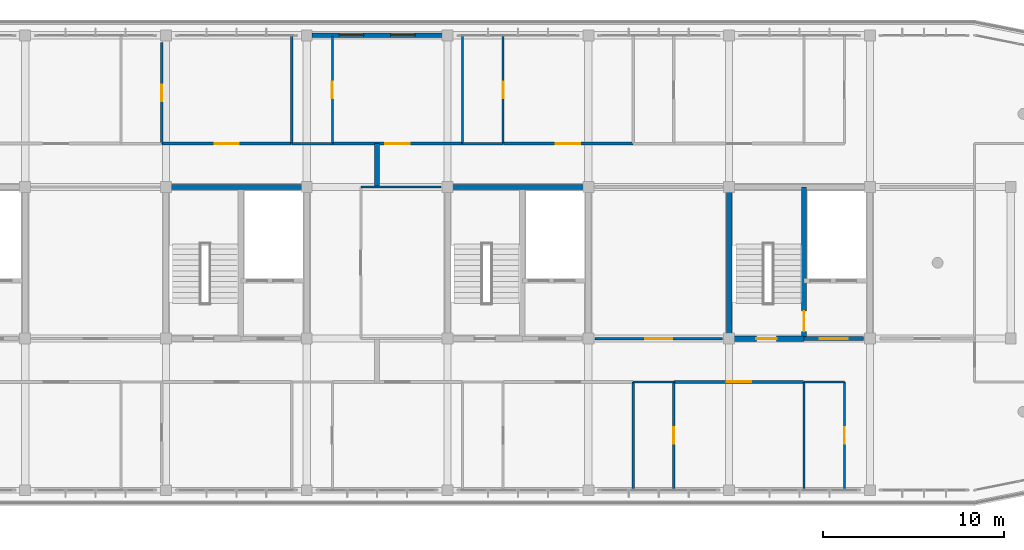
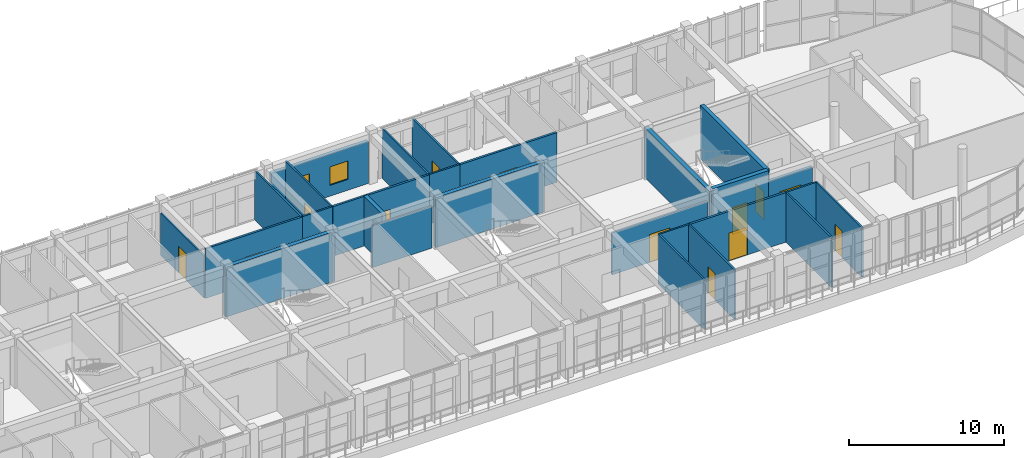
# One storey, part 44 of 50: 27 walls, 13 doors, 2 windows, 15 openings.
"""IFC4 building model written with IfcOpenShell, lengths in metres."""

from ifc_helpers import new_model, si_unit, direction, frame, frame_2d, origin, place, context, subcontext, project, spatial, rectangle, extrude, material, layer, layer_set, type_object, element, fill, save


model = new_model("IFC4")

# Units and contexts
model_context = context("Model", 3, precision=1e-05, world=origin(), true_north=direction((0.0, 1.0)))
body_context = subcontext(model_context, "Body", "Model", "MODEL_VIEW")
ifc_project = project(units=[si_unit("LENGTHUNIT", "METRE"), si_unit("AREAUNIT", "SQUARE_METRE"), si_unit("VOLUMEUNIT", "CUBIC_METRE"), si_unit("PLANEANGLEUNIT", "RADIAN"), si_unit("MASSUNIT", "GRAM", prefix="KILO")], contexts=[model_context])

# Site, building, storey
site_placement = place(None, origin())
site = spatial("IfcSite", under=ifc_project, at=site_placement, CompositionType="ELEMENT")
building_placement = place(site_placement, origin())
building = spatial("IfcBuilding", under=site, at=building_placement, Name="Zizhar Promenade General Hospital", CompositionType="ELEMENT")
storey_placement = place(building_placement, frame((0.0, 0.0, 30.60009765625)))
storey = spatial("IfcBuildingStorey", under=building, at=storey_placement, Name="L07", CompositionType="ELEMENT", Elevation=30.60009765625)

# Wall, openings, windows
ifc_material_1 = material(Name="Precast concrete C40/50", Category="concrete")
ifc_layer_1 = layer(ifc_material_1, 0.260009765625)
ifc_layer_set_1 = layer_set([ifc_layer_1], Name="Precast concrete C40/50")
wall_type_1 = type_object("IfcWallType", Name="EW-PC-260", PredefinedType="STANDARD", material=ifc_layer_set_1)
wall_1_placement = place(storey_placement, frame((70.489990234375, 25.199951171875, 0.0), z_axis=(0.0, 0.0, 1.0), x_axis=(1.0, 0.0, 0.0)))
wall_1 = element("IfcWall", 1, at=wall_1_placement, inside=storey, type_object=wall_type_1, Name="Ward Precast Ribbon Pier L07-8-4", PredefinedType="STANDARD", context=body_context, shape_type="SweptSolid", body=[
    extrude(rectangle(XDim=7.219970703125, YDim=0.260009765625, at=frame_2d((3.60986328125, 0.0))), origin(), (0.0, 0.0, 1.0), 3.304931640625),
])
opening_1_placement = place(wall_1_placement, frame((1.506591796875, 0.0, 0.85009765625)))
opening_1 = element("IfcOpeningElement", 2, at=opening_1_placement, cuts=wall_1, Name="Opening W-31", PredefinedType="OPENING", context=body_context, shape_type="SweptSolid", body=[
    extrude(rectangle(XDim=1.35009765625, YDim=1.449951171875, at=frame_2d((0.675048828125, 0.72509765625))), frame((0.0, 0.14013671875, 0.0), z_axis=(0.0, -1.0, 0.0), x_axis=(1.0, 0.0, 0.0)), (0.0, 0.0, 1.0), 0.280029296875),
])
opening_2_placement = place(wall_1_placement, frame((4.36328125, 0.0, 0.85009765625)))
opening_2 = element("IfcOpeningElement", 3, at=opening_2_placement, cuts=wall_1, Name="Opening W-31", PredefinedType="OPENING", context=body_context, shape_type="SweptSolid", body=[
    extrude(rectangle(XDim=1.35009765625, YDim=1.449951171875, at=frame_2d((0.675048828125, 0.72509765625))), frame((0.0, 0.14013671875, 0.0), z_axis=(0.0, -1.0, 0.0), x_axis=(1.0, 0.0, 0.0)), (0.0, 0.0, 1.0), 0.280029296875),
])
ifc_material_2 = material(Name="Anodised aluminium 6063-T6 and low-E glass", Category="aluminium")
window_type = type_object("IfcWindowType", Name="WIN-WARD-135x145", PartitioningType="SINGLE_PANEL", PredefinedType="WINDOW", material=ifc_material_2)
window_1_placement = place(opening_1_placement, origin())
window_1 = element("IfcWindow", 4, at=window_1_placement, inside=storey, type_object=window_type, Name="Ward Precast Ribbon Pier L07-8-4 Window 1", OverallHeight=1.449951171875, OverallWidth=1.35009765625, PartitioningType="SINGLE_PANEL", PredefinedType="WINDOW", context=body_context, shape_type="SweptSolid", body=[
    extrude(rectangle(XDim=1.35009765625, YDim=1.449951171875, at=frame_2d((0.675048828125, 0.72509765625))), frame((0.0, 0.030029296875, 0.0), z_axis=(0.0, -1.0, 0.0), x_axis=(1.0, 0.0, 0.0)), (0.0, 0.0, 1.0), 0.06005859375),
])
fill(opening_1, window_1)
window_2_placement = place(opening_2_placement, origin())
window_2 = element("IfcWindow", 5, at=window_2_placement, inside=storey, type_object=window_type, Name="Ward Precast Ribbon Pier L07-8-4 Window 2", OverallHeight=1.449951171875, OverallWidth=1.35009765625, PartitioningType="SINGLE_PANEL", PredefinedType="WINDOW", context=body_context, shape_type="SweptSolid", body=[
    extrude(rectangle(XDim=1.35009765625, YDim=1.449951171875, at=frame_2d((0.675048828125, 0.72509765625))), frame((0.0, 0.030029296875, 0.0), z_axis=(0.0, -1.0, 0.0), x_axis=(1.0, 0.0, 0.0)), (0.0, 0.0, 1.0), 0.06005859375),
])
fill(opening_2, window_2)

# Wall, opening, door
ifc_material_3 = material(Name="Clinical consultation partition")
ifc_layer_2 = layer(ifc_material_3, 0.14501953125)
ifc_layer_set_2 = layer_set([ifc_layer_2], Name="Clinical consultation partition")
wall_type_2 = type_object("IfcWallType", Name="IW-CLN-145", PredefinedType="PARTITIONING", material=ifc_layer_set_2)
wall_2_placement = place(storey_placement, frame((86.159912109375, 8.39990234375, 0.0), z_axis=(0.0, 0.0, 1.0), x_axis=(1.0, 0.0, 0.0)))
wall_2 = element("IfcWall", 6, at=wall_2_placement, inside=storey, type_object=wall_type_2, Name="Accessible Visitor Lounge and Clean Utility L07 S Partition", PredefinedType="PARTITIONING", context=body_context, shape_type="SweptSolid", body=[
    extrude(rectangle(XDim=7.080078125, YDim=0.14501953125, at=frame_2d((3.5400390625, 0.0))), origin(), (0.0, 0.0, 1.0), 3.304931640625),
])
opening_3_placement = place(wall_2_placement, frame((2.780029296875, 0.0, 0.0)))
opening_3 = element("IfcOpeningElement", 7, at=opening_3_placement, cuts=wall_2, Name="Opening D-28", PredefinedType="OPENING", context=body_context, shape_type="SweptSolid", body=[
    extrude(rectangle(XDim=1.52001953125, YDim=2.199951171875, at=frame_2d((0.760009765625, 1.10009765625))), frame((0.0, 0.08251953125, 0.0), z_axis=(0.0, -1.0, 0.0), x_axis=(1.0, 0.0, 0.0)), (0.0, 0.0, 1.0), 0.1650390625),
])
ifc_material_4 = material(Name="Fire-rated timber glazed lounge pair", Category="wood")
door_type_1 = type_object("IfcDoorType", Name="DR-LOUNGE-152x220", OperationType="DOUBLE_DOOR_SINGLE_SWING", PredefinedType="DOOR", material=ifc_material_4)
door_1_placement = place(opening_3_placement, origin())
door_1 = element("IfcDoor", 8, at=door_1_placement, inside=storey, type_object=door_type_1, Name="Accessible Visitor Lounge and Clean Utility L07 Door", OperationType="DOUBLE_DOOR_SINGLE_SWING", OverallHeight=2.199951171875, OverallWidth=1.52001953125, PredefinedType="DOOR", context=body_context, shape_type="SweptSolid", body=[
    extrude(rectangle(XDim=1.52001953125, YDim=2.199951171875, at=frame_2d((0.760009765625, 1.10009765625))), frame((0.0, 0.02490234375, 0.0), z_axis=(0.0, -1.0, 0.0), x_axis=(1.0, 0.0, 0.0)), (0.0, 0.0, 1.0), 0.050048828125),
])
fill(opening_3, door_1)

# Wall
ifc_material_5 = material(Name="Concrete C35/45", Category="concrete")
ifc_layer_3 = layer(ifc_material_5, 0.284912109375)
ifc_layer_set_3 = layer_set([ifc_layer_3], Name="Concrete C35/45")
wall_type_3 = type_object("IfcWallType", Name="IW-COMP-285", PredefinedType="STANDARD", material=ifc_layer_set_3)
wall_3_placement = place(storey_placement, frame((74.10009765625, 16.800048828125, 0.0), z_axis=(0.0, 0.0, 1.0), x_axis=(0.0, 1.0, 0.0)))
element("IfcWall", 9, at=wall_3_placement, inside=storey, type_object=wall_type_3, Name="Horizontal Fire Compartment Wall North (L07)", PredefinedType="STANDARD", context=body_context, shape_type="SweptSolid", body=[
    extrude(rectangle(XDim=2.39990234375, YDim=0.284912109375, at=frame_2d((1.199951171875, 0.0))), origin(), (0.0, 0.0, 1.0), 3.89990234375),
])

# Wall, opening, door
ifc_material_6 = material(Name="Concrete C35/45", Category="concrete")
ifc_layer_4 = layer(ifc_material_6, 0.215087890625)
ifc_layer_set_4 = layer_set([ifc_layer_4], Name="Concrete C35/45")
wall_type_4 = type_object("IfcWallType", Name="IW-LOBBY-215", PredefinedType="STANDARD", material=ifc_layer_set_4)
wall_4_placement = place(storey_placement, frame((97.75, 8.39990234375, 0.0), z_axis=(0.0, 0.0, 1.0), x_axis=(1.0, 0.0, 0.0)))
wall_4 = element("IfcWall", 10, at=wall_4_placement, inside=storey, type_object=wall_type_4, Name="Core C5 Lift Lobby South Fire Wall (L07)", PredefinedType="STANDARD", context=body_context, shape_type="SweptSolid", body=[
    extrude(rectangle(XDim=3.2900390625, YDim=0.215087890625, at=frame_2d((1.64501953125, 0.0))), origin(), (0.0, 0.0, 1.0), 3.304931640625),
])
opening_4_placement = place(wall_4_placement, frame((0.864990234375, 0.0, 0.0)))
opening_4 = element("IfcOpeningElement", 11, at=opening_4_placement, cuts=wall_4, Name="Opening D-22", PredefinedType="OPENING", context=body_context, shape_type="SweptSolid", body=[
    extrude(rectangle(XDim=1.56005859375, YDim=2.199951171875, at=frame_2d((0.780029296875, 1.10009765625))), frame((0.0, 0.11767578125, 0.0), z_axis=(0.0, -1.0, 0.0), x_axis=(1.0, 0.0, 0.0)), (0.0, 0.0, 1.0), 0.235107421875),
])
ifc_material_7 = material(Name="Steel S355 firefighting lobby pair", Category="steel")
door_type_2 = type_object("IfcDoorType", Name="DR-LOBBY-FF-156x220", OperationType="DOUBLE_DOOR_SINGLE_SWING", PredefinedType="DOOR", material=ifc_material_7)
door_2_placement = place(opening_4_placement, origin())
door_2 = element("IfcDoor", 12, at=door_2_placement, inside=storey, type_object=door_type_2, Name="Core C5 Firefighting Lift Lobby Door (L07)", OperationType="DOUBLE_DOOR_SINGLE_SWING", OverallHeight=2.199951171875, OverallWidth=1.56005859375, PredefinedType="DOOR", context=body_context, shape_type="SweptSolid", body=[
    extrude(rectangle(XDim=1.56005859375, YDim=2.199951171875, at=frame_2d((0.780029296875, 1.10009765625))), frame((0.0, 0.02490234375, 0.0), z_axis=(0.0, -1.0, 0.0), x_axis=(1.0, 0.0, 0.0)), (0.0, 0.0, 1.0), 0.050048828125),
])
fill(opening_4, door_2)

# Wall
ifc_material_8 = material(Name="Clean utility gypsum partition")
ifc_layer_5 = layer(ifc_material_8, 0.114990234375)
ifc_layer_set_5 = layer_set([ifc_layer_5], Name="Clean utility gypsum partition")
wall_type_5 = type_object("IfcWallType", Name="IW-STR-115", PredefinedType="PARTITIONING", material=ifc_layer_set_5)
wall_5_placement = place(storey_placement, frame((73.199951171875, 16.800048828125, 0.0), z_axis=(0.0, 0.0, 1.0), x_axis=(1.0, 0.0, 0.0)))
element("IfcWall", 13, at=wall_5_placement, inside=storey, type_object=wall_type_5, Name="Obstetric Assessment Room N Partition", PredefinedType="PARTITIONING", context=body_context, shape_type="SweptSolid", body=[
    extrude(rectangle(XDim=4.43994140625, YDim=0.114990234375, at=frame_2d((2.219970703125, 0.0))), origin(), (0.0, 0.0, 1.0), 3.304931640625),
])

# Wall, opening, door
ifc_material_9 = material(Name="Acoustic patient bedroom partition")
ifc_layer_6 = layer(ifc_material_9, 0.155029296875)
ifc_layer_set_6 = layer_set([ifc_layer_6], Name="Acoustic patient bedroom partition")
wall_type_6 = type_object("IfcWallType", Name="IW-WARD-155", PredefinedType="PARTITIONING", material=ifc_layer_set_6)
wall_6_placement = place(storey_placement, frame((62.174072265625, 19.199951171875, 0.0), z_axis=(0.0, 0.0, 1.0), x_axis=(1.0, 0.0, 0.0)))
wall_6 = element("IfcWall", 14, at=wall_6_placement, inside=storey, type_object=wall_type_6, Name="Maternity Inpatient Ward L07-N03 S Partition", PredefinedType="PARTITIONING", context=body_context, shape_type="SweptSolid", body=[
    extrude(rectangle(XDim=7.18701171875, YDim=0.155029296875, at=frame_2d((3.593505859375, 0.0))), origin(), (0.0, 0.0, 1.0), 3.89990234375),
])
opening_5_placement = place(wall_6_placement, frame((2.91845703125, 0.0, 0.0)))
opening_5 = element("IfcOpeningElement", 15, at=opening_5_placement, cuts=wall_6, Name="Opening D-08", PredefinedType="OPENING", context=body_context, shape_type="SweptSolid", body=[
    extrude(rectangle(XDim=1.35009765625, YDim=2.199951171875, at=frame_2d((0.675048828125, 1.10009765625))), frame((0.0, 0.08740234375, 0.0), z_axis=(0.0, -1.0, 0.0), x_axis=(1.0, 0.0, 0.0)), (0.0, 0.0, 1.0), 0.175048828125),
])
ifc_material_10 = material(Name="Fire-rated timber maternity bed leaf", Category="wood")
door_type_3 = type_object("IfcDoorType", Name="DR-BED-MAT-135x220", OperationType="NOTDEFINED", PredefinedType="DOOR", material=ifc_material_10)
door_3_placement = place(opening_5_placement, origin())
door_3 = element("IfcDoor", 16, at=door_3_placement, inside=storey, type_object=door_type_3, Name="Maternity Inpatient Ward L07-N03 Door", OperationType="SINGLE_SWING_LEFT", OverallHeight=2.199951171875, OverallWidth=1.35009765625, PredefinedType="DOOR", context=body_context, shape_type="SweptSolid", body=[
    extrude(rectangle(XDim=1.35009765625, YDim=2.199951171875, at=frame_2d((0.675048828125, 1.10009765625))), frame((0.0, 0.02490234375, 0.0), z_axis=(0.0, -1.0, 0.0), x_axis=(1.0, 0.0, 0.0)), (0.0, 0.0, 1.0), 0.050048828125),
])
fill(opening_5, door_3)

wall_7_placement = place(storey_placement, frame((71.631103515625, 19.199951171875, 0.0), z_axis=(0.0, 0.0, 1.0), x_axis=(1.0, 0.0, 0.0)))
wall_7 = element("IfcWall", 17, at=wall_7_placement, inside=storey, type_object=wall_type_6, Name="Neonatal Care Nursery Suite L07-N04 S Partition", PredefinedType="PARTITIONING", context=body_context, shape_type="SweptSolid", body=[
    extrude(rectangle(XDim=7.18798828125, YDim=0.155029296875, at=frame_2d((3.593994140625, 0.0))), origin(), (0.0, 0.0, 1.0), 3.89990234375),
])
opening_6_placement = place(wall_7_placement, frame((2.9189453125, 0.0, 0.0)))
opening_6 = element("IfcOpeningElement", 18, at=opening_6_placement, cuts=wall_7, Name="Opening D-08", PredefinedType="OPENING", context=body_context, shape_type="SweptSolid", body=[
    extrude(rectangle(XDim=1.35009765625, YDim=2.199951171875, at=frame_2d((0.675048828125, 1.10009765625))), frame((0.0, 0.08740234375, 0.0), z_axis=(0.0, -1.0, 0.0), x_axis=(1.0, 0.0, 0.0)), (0.0, 0.0, 1.0), 0.175048828125),
])
door_4_placement = place(opening_6_placement, origin())
door_4 = element("IfcDoor", 19, at=door_4_placement, inside=storey, type_object=door_type_3, Name="Neonatal Care Nursery Suite L07-N04 Door", OperationType="SINGLE_SWING_LEFT", OverallHeight=2.199951171875, OverallWidth=1.35009765625, PredefinedType="DOOR", context=body_context, shape_type="SweptSolid", body=[
    extrude(rectangle(XDim=1.35009765625, YDim=2.199951171875, at=frame_2d((0.675048828125, 1.10009765625))), frame((0.0, 0.02490234375, 0.0), z_axis=(0.0, -1.0, 0.0), x_axis=(1.0, 0.0, 0.0)), (0.0, 0.0, 1.0), 0.050048828125),
])
fill(opening_6, door_4)

wall_8_placement = place(storey_placement, frame((81.089111328125, 19.199951171875, 0.0), z_axis=(0.0, 0.0, 1.0), x_axis=(1.0, 0.0, 0.0)))
wall_8 = element("IfcWall", 20, at=wall_8_placement, inside=storey, type_object=wall_type_6, Name="Maternity Inpatient Ward L07-N05 S Partition", PredefinedType="PARTITIONING", context=body_context, shape_type="SweptSolid", body=[
    extrude(rectangle(XDim=7.186767578125, YDim=0.155029296875, at=frame_2d((3.59326171875, 0.0))), origin(), (0.0, 0.0, 1.0), 3.89990234375),
])
opening_7_placement = place(wall_8_placement, frame((2.91845703125, 0.0, 0.0)))
opening_7 = element("IfcOpeningElement", 21, at=opening_7_placement, cuts=wall_8, Name="Opening D-08", PredefinedType="OPENING", context=body_context, shape_type="SweptSolid", body=[
    extrude(rectangle(XDim=1.35009765625, YDim=2.199951171875, at=frame_2d((0.675048828125, 1.10009765625))), frame((0.0, 0.08740234375, 0.0), z_axis=(0.0, -1.0, 0.0), x_axis=(1.0, 0.0, 0.0)), (0.0, 0.0, 1.0), 0.175048828125),
])
door_5_placement = place(opening_7_placement, origin())
door_5 = element("IfcDoor", 22, at=door_5_placement, inside=storey, type_object=door_type_3, Name="Maternity Inpatient Ward L07-N05 Door", OperationType="SINGLE_SWING_LEFT", OverallHeight=2.199951171875, OverallWidth=1.35009765625, PredefinedType="DOOR", context=body_context, shape_type="SweptSolid", body=[
    extrude(rectangle(XDim=1.35009765625, YDim=2.199951171875, at=frame_2d((0.675048828125, 1.10009765625))), frame((0.0, 0.02490234375, 0.0), z_axis=(0.0, -1.0, 0.0), x_axis=(1.0, 0.0, 0.0)), (0.0, 0.0, 1.0), 0.050048828125),
])
fill(opening_7, door_5)

wall_9_placement = place(storey_placement, frame((90.5458984375, 6.0, 0.0), z_axis=(0.0, 0.0, 1.0), x_axis=(1.0, 0.0, 0.0)))
wall_9 = element("IfcWall", 23, at=wall_9_placement, inside=storey, type_object=wall_type_6, Name="Neonatal Care Nursery Suite L07-S06 N Partition", PredefinedType="PARTITIONING", context=body_context, shape_type="SweptSolid", body=[
    extrude(rectangle(XDim=7.18701171875, YDim=0.155029296875, at=frame_2d((3.593505859375, 0.0))), origin(), (0.0, 0.0, 1.0), 3.89990234375),
])
opening_8_placement = place(wall_9_placement, frame((2.91845703125, 0.0, 0.0)))
opening_8 = element("IfcOpeningElement", 24, at=opening_8_placement, cuts=wall_9, Name="Opening D-08", PredefinedType="OPENING", context=body_context, shape_type="SweptSolid", body=[
    extrude(rectangle(XDim=1.35009765625, YDim=2.199951171875, at=frame_2d((0.675048828125, 1.10009765625))), frame((0.0, 0.08740234375, 0.0), z_axis=(0.0, -1.0, 0.0), x_axis=(1.0, 0.0, 0.0)), (0.0, 0.0, 1.0), 0.175048828125),
])
door_6_placement = place(opening_8_placement, origin())
door_6 = element("IfcDoor", 25, at=door_6_placement, inside=storey, type_object=door_type_3, Name="Neonatal Care Nursery Suite L07-S06 Door", OperationType="SINGLE_SWING_RIGHT", OverallHeight=2.199951171875, OverallWidth=1.35009765625, PredefinedType="DOOR", context=body_context, shape_type="SweptSolid", body=[
    extrude(rectangle(XDim=1.35009765625, YDim=2.199951171875, at=frame_2d((0.675048828125, 1.10009765625))), frame((0.0, 0.02490234375, 0.0), z_axis=(0.0, -1.0, 0.0), x_axis=(1.0, 0.0, 0.0)), (0.0, 0.0, 1.0), 0.050048828125),
])
fill(opening_8, door_6)

ifc_material_11 = material(Name="Moisture-resistant en-suite wet partition")
ifc_layer_7 = layer(ifc_material_11, 0.125)
ifc_layer_set_7 = layer_set([ifc_layer_7], Name="Moisture-resistant en-suite wet partition")
wall_type_7 = type_object("IfcWallType", Name="IW-WET-125", PredefinedType="PARTITIONING", material=ifc_layer_set_7)
wall_10_placement = place(storey_placement, frame((62.164306640625, 19.199951171875, 0.0), z_axis=(0.0, 0.0, 1.0), x_axis=(0.0, 1.0, 0.0)))
wall_10 = element("IfcWall", 26, at=wall_10_placement, inside=storey, type_object=wall_type_7, Name="En-Suite Patient Bathroom L07-N03 E Partition", PredefinedType="PARTITIONING", context=body_context, shape_type="SweptSolid", body=[
    extrude(rectangle(XDim=5.594970703125, YDim=0.125, at=frame_2d((2.79736328125, 0.0))), origin(), (0.0, 0.0, 1.0), 3.304931640625),
])
opening_9_placement = place(wall_10_placement, frame((2.33740234375, 0.0, 0.0)))
opening_9 = element("IfcOpeningElement", 27, at=opening_9_placement, cuts=wall_10, Name="Opening D-18", PredefinedType="OPENING", context=body_context, shape_type="SweptSolid", body=[
    extrude(rectangle(XDim=0.919921875, YDim=2.10009765625, at=frame_2d((0.4599609375, 1.050048828125))), frame((0.0, 0.072509765625, 0.0), z_axis=(0.0, -1.0, 0.0), x_axis=(1.0, 0.0, 0.0)), (0.0, 0.0, 1.0), 0.14501953125),
])
ifc_material_12 = material(Name="Moisture-resistant timber en-suite leaf", Category="wood")
door_type_4 = type_object("IfcDoorType", Name="DR-ENS-STD-092x210", OperationType="NOTDEFINED", PredefinedType="DOOR", material=ifc_material_12)
door_7_placement = place(opening_9_placement, origin())
door_7 = element("IfcDoor", 28, at=door_7_placement, inside=storey, type_object=door_type_4, Name="En-Suite Patient Bathroom L07-N03 Door", OperationType="SINGLE_SWING_LEFT", OverallHeight=2.10009765625, OverallWidth=0.919921875, PredefinedType="DOOR", context=body_context, shape_type="SweptSolid", body=[
    extrude(rectangle(XDim=0.919921875, YDim=2.10009765625, at=frame_2d((0.4599609375, 1.050048828125))), frame((0.0, 0.02490234375, 0.0), z_axis=(0.0, -1.0, 0.0), x_axis=(1.0, 0.0, 0.0)), (0.0, 0.0, 1.0), 0.050048828125),
])
fill(opening_9, door_7)

# Walls
wall_11_placement = place(storey_placement, frame((69.371337890625, 19.199951171875, 0.0), z_axis=(0.0, 0.0, 1.0), x_axis=(1.0, 0.0, 0.0)))
element("IfcWall", 29, at=wall_11_placement, inside=storey, type_object=wall_type_7, Name="En-Suite Patient Bathroom L07-N04 S Partition", PredefinedType="PARTITIONING", context=body_context, shape_type="SweptSolid", body=[
    extrude(rectangle(XDim=2.25, YDim=0.125, at=frame_2d((1.125, 0.0))), origin(), (0.0, 0.0, 1.0), 3.89990234375),
])
wall_12_placement = place(storey_placement, frame((69.371337890625, 19.199951171875, 0.0), z_axis=(0.0, 0.0, 1.0), x_axis=(0.0, 1.0, 0.0)))
element("IfcWall", 30, at=wall_12_placement, inside=storey, type_object=wall_type_7, Name="En-Suite Patient Bathroom L07-N04 W Partition", PredefinedType="PARTITIONING", context=body_context, shape_type="SweptSolid", body=[
    extrude(rectangle(XDim=5.955078125, YDim=0.125, at=frame_2d((2.9775390625, 0.0))), origin(), (0.0, 0.0, 1.0), 3.89990234375),
])

# Wall, opening, door
wall_13_placement = place(storey_placement, frame((71.621337890625, 19.199951171875, 0.0), z_axis=(0.0, 0.0, 1.0), x_axis=(0.0, 1.0, 0.0)))
wall_13 = element("IfcWall", 31, at=wall_13_placement, inside=storey, type_object=wall_type_7, Name="En-Suite Patient Bathroom L07-N04 E Partition", PredefinedType="PARTITIONING", context=body_context, shape_type="SweptSolid", body=[
    extrude(rectangle(XDim=5.955078125, YDim=0.125, at=frame_2d((2.9775390625, 0.0))), origin(), (0.0, 0.0, 1.0), 3.89990234375),
])
opening_10_placement = place(wall_13_placement, frame((2.517578125, 0.0, 0.0)))
opening_10 = element("IfcOpeningElement", 32, at=opening_10_placement, cuts=wall_13, Name="Opening D-18", PredefinedType="OPENING", context=body_context, shape_type="SweptSolid", body=[
    extrude(rectangle(XDim=0.919921875, YDim=2.10009765625, at=frame_2d((0.4599609375, 1.050048828125))), frame((0.0, 0.072509765625, 0.0), z_axis=(0.0, -1.0, 0.0), x_axis=(1.0, 0.0, 0.0)), (0.0, 0.0, 1.0), 0.14501953125),
])
door_8_placement = place(opening_10_placement, origin())
door_8 = element("IfcDoor", 33, at=door_8_placement, inside=storey, type_object=door_type_4, Name="En-Suite Patient Bathroom L07-N04 Door", OperationType="SINGLE_SWING_LEFT", OverallHeight=2.10009765625, OverallWidth=0.919921875, PredefinedType="DOOR", context=body_context, shape_type="SweptSolid", body=[
    extrude(rectangle(XDim=0.919921875, YDim=2.10009765625, at=frame_2d((0.4599609375, 1.050048828125))), frame((0.0, 0.02490234375, 0.0), z_axis=(0.0, -1.0, 0.0), x_axis=(1.0, 0.0, 0.0)), (0.0, 0.0, 1.0), 0.050048828125),
])
fill(opening_10, door_8)

# Walls
wall_14_placement = place(storey_placement, frame((78.82861328125, 19.199951171875, 0.0), z_axis=(0.0, 0.0, 1.0), x_axis=(1.0, 0.0, 0.0)))
element("IfcWall", 34, at=wall_14_placement, inside=storey, type_object=wall_type_7, Name="En-Suite Patient Bathroom L07-N05 S Partition", PredefinedType="PARTITIONING", context=body_context, shape_type="SweptSolid", body=[
    extrude(rectangle(XDim=2.25, YDim=0.125, at=frame_2d((1.125, 0.0))), origin(), (0.0, 0.0, 1.0), 3.89990234375),
])
wall_15_placement = place(storey_placement, frame((78.82861328125, 19.199951171875, 0.0), z_axis=(0.0, 0.0, 1.0), x_axis=(0.0, 1.0, 0.0)))
element("IfcWall", 35, at=wall_15_placement, inside=storey, type_object=wall_type_7, Name="En-Suite Patient Bathroom L07-N05 W Partition", PredefinedType="PARTITIONING", context=body_context, shape_type="SweptSolid", body=[
    extrude(rectangle(XDim=5.955078125, YDim=0.125, at=frame_2d((2.9775390625, 0.0))), origin(), (0.0, 0.0, 1.0), 3.89990234375),
])

# Wall, opening, door
wall_16_placement = place(storey_placement, frame((81.07861328125, 19.199951171875, 0.0), z_axis=(0.0, 0.0, 1.0), x_axis=(0.0, 1.0, 0.0)))
wall_16 = element("IfcWall", 36, at=wall_16_placement, inside=storey, type_object=wall_type_7, Name="En-Suite Patient Bathroom L07-N05 E Partition", PredefinedType="PARTITIONING", context=body_context, shape_type="SweptSolid", body=[
    extrude(rectangle(XDim=5.955078125, YDim=0.125, at=frame_2d((2.9775390625, 0.0))), origin(), (0.0, 0.0, 1.0), 3.89990234375),
])
opening_11_placement = place(wall_16_placement, frame((2.517578125, 0.0, 0.0)))
opening_11 = element("IfcOpeningElement", 37, at=opening_11_placement, cuts=wall_16, Name="Opening D-18", PredefinedType="OPENING", context=body_context, shape_type="SweptSolid", body=[
    extrude(rectangle(XDim=0.919921875, YDim=2.10009765625, at=frame_2d((0.4599609375, 1.050048828125))), frame((0.0, 0.072509765625, 0.0), z_axis=(0.0, -1.0, 0.0), x_axis=(1.0, 0.0, 0.0)), (0.0, 0.0, 1.0), 0.14501953125),
])
door_9_placement = place(opening_11_placement, origin())
door_9 = element("IfcDoor", 38, at=door_9_placement, inside=storey, type_object=door_type_4, Name="En-Suite Patient Bathroom L07-N05 Door", OperationType="SINGLE_SWING_LEFT", OverallHeight=2.10009765625, OverallWidth=0.919921875, PredefinedType="DOOR", context=body_context, shape_type="SweptSolid", body=[
    extrude(rectangle(XDim=0.919921875, YDim=2.10009765625, at=frame_2d((0.4599609375, 1.050048828125))), frame((0.0, 0.02490234375, 0.0), z_axis=(0.0, -1.0, 0.0), x_axis=(1.0, 0.0, 0.0)), (0.0, 0.0, 1.0), 0.050048828125),
])
fill(opening_11, door_9)

# Walls
wall_17_placement = place(storey_placement, frame((88.28564453125, 6.0, 0.0), z_axis=(0.0, 0.0, 1.0), x_axis=(1.0, 0.0, 0.0)))
element("IfcWall", 39, at=wall_17_placement, inside=storey, type_object=wall_type_7, Name="En-Suite Patient Bathroom L07-S06 N Partition", PredefinedType="PARTITIONING", context=body_context, shape_type="SweptSolid", body=[
    extrude(rectangle(XDim=2.25, YDim=0.125, at=frame_2d((1.125, 0.0))), origin(), (0.0, 0.0, 1.0), 3.89990234375),
])
wall_18_placement = place(storey_placement, frame((88.28564453125, 0.044921875, 0.0), z_axis=(0.0, 0.0, 1.0), x_axis=(0.0, 1.0, 0.0)))
element("IfcWall", 40, at=wall_18_placement, inside=storey, type_object=wall_type_7, Name="En-Suite Patient Bathroom L07-S06 W Partition", PredefinedType="PARTITIONING", context=body_context, shape_type="SweptSolid", body=[
    extrude(rectangle(XDim=5.955078125, YDim=0.125, at=frame_2d((2.9775390625, 0.0))), origin(), (0.0, 0.0, 1.0), 3.89990234375),
])

# Wall, opening, door
wall_19_placement = place(storey_placement, frame((90.53564453125, 0.044921875, 0.0), z_axis=(0.0, 0.0, 1.0), x_axis=(0.0, 1.0, 0.0)))
wall_19 = element("IfcWall", 41, at=wall_19_placement, inside=storey, type_object=wall_type_7, Name="En-Suite Patient Bathroom L07-S06 E Partition", PredefinedType="PARTITIONING", context=body_context, shape_type="SweptSolid", body=[
    extrude(rectangle(XDim=5.955078125, YDim=0.125, at=frame_2d((2.9775390625, 0.0))), origin(), (0.0, 0.0, 1.0), 3.89990234375),
])
opening_12_placement = place(wall_19_placement, frame((2.517578125, 0.0, 0.0)))
opening_12 = element("IfcOpeningElement", 42, at=opening_12_placement, cuts=wall_19, Name="Opening D-18", PredefinedType="OPENING", context=body_context, shape_type="SweptSolid", body=[
    extrude(rectangle(XDim=0.919921875, YDim=2.10009765625, at=frame_2d((0.4599609375, 1.050048828125))), frame((0.0, 0.072509765625, 0.0), z_axis=(0.0, -1.0, 0.0), x_axis=(1.0, 0.0, 0.0)), (0.0, 0.0, 1.0), 0.14501953125),
])
door_10_placement = place(opening_12_placement, origin())
door_10 = element("IfcDoor", 43, at=door_10_placement, inside=storey, type_object=door_type_4, Name="En-Suite Patient Bathroom L07-S06 Door", OperationType="SINGLE_SWING_RIGHT", OverallHeight=2.10009765625, OverallWidth=0.919921875, PredefinedType="DOOR", context=body_context, shape_type="SweptSolid", body=[
    extrude(rectangle(XDim=0.919921875, YDim=2.10009765625, at=frame_2d((0.4599609375, 1.050048828125))), frame((0.0, 0.02490234375, 0.0), z_axis=(0.0, -1.0, 0.0), x_axis=(1.0, 0.0, 0.0)), (0.0, 0.0, 1.0), 0.050048828125),
])
fill(opening_12, door_10)

# Walls
wall_20_placement = place(storey_placement, frame((97.742919921875, 6.0, 0.0), z_axis=(0.0, 0.0, 1.0), x_axis=(1.0, 0.0, 0.0)))
element("IfcWall", 44, at=wall_20_placement, inside=storey, type_object=wall_type_7, Name="En-Suite Patient Bathroom L07-S07 N Partition", PredefinedType="PARTITIONING", context=body_context, shape_type="SweptSolid", body=[
    extrude(rectangle(XDim=2.25, YDim=0.125, at=frame_2d((1.125, 0.0))), origin(), (0.0, 0.0, 1.0), 3.89990234375),
])
wall_21_placement = place(storey_placement, frame((97.742919921875, 0.044921875, 0.0), z_axis=(0.0, 0.0, 1.0), x_axis=(0.0, 1.0, 0.0)))
element("IfcWall", 45, at=wall_21_placement, inside=storey, type_object=wall_type_7, Name="En-Suite Patient Bathroom L07-S07 W Partition", PredefinedType="PARTITIONING", context=body_context, shape_type="SweptSolid", body=[
    extrude(rectangle(XDim=5.955078125, YDim=0.125, at=frame_2d((2.9775390625, 0.0))), origin(), (0.0, 0.0, 1.0), 3.89990234375),
])

# Wall, opening, door
wall_22_placement = place(storey_placement, frame((99.992919921875, 0.044921875, 0.0), z_axis=(0.0, 0.0, 1.0), x_axis=(0.0, 1.0, 0.0)))
wall_22 = element("IfcWall", 46, at=wall_22_placement, inside=storey, type_object=wall_type_7, Name="En-Suite Patient Bathroom L07-S07 E Partition", PredefinedType="PARTITIONING", context=body_context, shape_type="SweptSolid", body=[
    extrude(rectangle(XDim=5.955078125, YDim=0.125, at=frame_2d((2.9775390625, 0.0))), origin(), (0.0, 0.0, 1.0), 3.89990234375),
])
opening_13_placement = place(wall_22_placement, frame((2.517578125, 0.0, 0.0)))
opening_13 = element("IfcOpeningElement", 47, at=opening_13_placement, cuts=wall_22, Name="Opening D-18", PredefinedType="OPENING", context=body_context, shape_type="SweptSolid", body=[
    extrude(rectangle(XDim=0.919921875, YDim=2.10009765625, at=frame_2d((0.4599609375, 1.050048828125))), frame((0.0, 0.072509765625, 0.0), z_axis=(0.0, -1.0, 0.0), x_axis=(1.0, 0.0, 0.0)), (0.0, 0.0, 1.0), 0.14501953125),
])
door_11_placement = place(opening_13_placement, origin())
door_11 = element("IfcDoor", 48, at=door_11_placement, inside=storey, type_object=door_type_4, Name="En-Suite Patient Bathroom L07-S07 Door", OperationType="SINGLE_SWING_RIGHT", OverallHeight=2.10009765625, OverallWidth=0.919921875, PredefinedType="DOOR", context=body_context, shape_type="SweptSolid", body=[
    extrude(rectangle(XDim=0.919921875, YDim=2.10009765625, at=frame_2d((0.4599609375, 1.050048828125))), frame((0.0, 0.02490234375, 0.0), z_axis=(0.0, -1.0, 0.0), x_axis=(1.0, 0.0, 0.0)), (0.0, 0.0, 1.0), 0.050048828125),
])
fill(opening_13, door_11)

# Walls
ifc_material_13 = material(Name="Concrete C40/50", Category="concrete")
ifc_layer_8 = layer(ifc_material_13, 0.300048828125)
ifc_layer_set_8 = layer_set([ifc_layer_8], Name="Concrete C40/50")
wall_type_8 = type_object("IfcWallType", Name="WL-CORE-300", PredefinedType="SHEAR", material=ifc_layer_set_8)
wall_23_placement = place(storey_placement, frame((62.25, 16.800048828125, 0.0), z_axis=(0.0, 0.0, 1.0), x_axis=(1.0, 0.0, 0.0)))
element("IfcWall", 49, at=wall_23_placement, inside=storey, type_object=wall_type_8, Name="Core C3 North Shear Wall L07", PredefinedType="SHEAR", context=body_context, shape_type="SweptSolid", body=[
    extrude(rectangle(XDim=8.10009765625, YDim=0.300048828125, at=frame_2d((4.050048828125, 0.0))), origin(), (0.0, 0.0, 1.0), 3.919921875),
])
wall_24_placement = place(storey_placement, frame((77.85009765625, 16.800048828125, 0.0), z_axis=(0.0, 0.0, 1.0), x_axis=(1.0, 0.0, 0.0)))
element("IfcWall", 50, at=wall_24_placement, inside=storey, type_object=wall_type_8, Name="Core C4 North Shear Wall L07", PredefinedType="SHEAR", context=body_context, shape_type="SweptSolid", body=[
    extrude(rectangle(XDim=8.099853515625, YDim=0.300048828125, at=frame_2d((4.0498046875, 0.0))), origin(), (0.0, 0.0, 1.0), 3.919921875),
])
wall_25_placement = place(storey_placement, frame((93.60009765625, 8.39990234375, 0.0), z_axis=(0.0, 0.0, 1.0), x_axis=(0.0, 1.0, 0.0)))
element("IfcWall", 51, at=wall_25_placement, inside=storey, type_object=wall_type_8, Name="Core C5 West Shear Wall L07", PredefinedType="SHEAR", context=body_context, shape_type="SweptSolid", body=[
    extrude(rectangle(XDim=8.400146484375, YDim=0.300048828125, at=frame_2d((4.2001953125, 0.0))), origin(), (0.0, 0.0, 1.0), 3.919921875),
])

# Wall, opening, door
wall_26_placement = place(storey_placement, frame((93.60009765625, 8.39990234375, 0.0), z_axis=(0.0, 0.0, 1.0), x_axis=(1.0, 0.0, 0.0)))
wall_26 = element("IfcWall", 52, at=wall_26_placement, inside=storey, type_object=wall_type_8, Name="Core C5 Stair South Fire Wall (L07)", PredefinedType="SHEAR", context=body_context, shape_type="SweptSolid", body=[
    extrude(rectangle(XDim=4.14990234375, YDim=0.300048828125, at=frame_2d((2.074951171875, 0.0))), origin(), (0.0, 0.0, 1.0), 4.199951171875),
])
opening_14_placement = place(wall_26_placement, frame((1.514892578125, 0.0, 0.0)))
opening_14 = element("IfcOpeningElement", 53, at=opening_14_placement, cuts=wall_26, Name="Opening D-21", PredefinedType="OPENING", context=body_context, shape_type="SweptSolid", body=[
    extrude(rectangle(XDim=1.1201171875, YDim=2.14990234375, at=frame_2d((0.56005859375, 1.074951171875))), frame((0.0, 0.16015625, 0.0), z_axis=(0.0, -1.0, 0.0), x_axis=(1.0, 0.0, 0.0)), (0.0, 0.0, 1.0), 0.320068359375),
])
ifc_material_14 = material(Name="Steel S355 protected stair door", Category="steel")
door_type_5 = type_object("IfcDoorType", Name="DR-STAIR-112x215", OperationType="NOTDEFINED", PredefinedType="DOOR", material=ifc_material_14)
door_12_placement = place(opening_14_placement, origin())
door_12 = element("IfcDoor", 54, at=door_12_placement, inside=storey, type_object=door_type_5, Name="Exit Stair ST-05 Door (L07)", OperationType="SINGLE_SWING_RIGHT", OverallHeight=2.14990234375, OverallWidth=1.1201171875, PredefinedType="DOOR", context=body_context, shape_type="SweptSolid", body=[
    extrude(rectangle(XDim=1.1201171875, YDim=2.14990234375, at=frame_2d((0.56005859375, 1.074951171875))), frame((0.0, 0.02490234375, 0.0), z_axis=(0.0, -1.0, 0.0), x_axis=(1.0, 0.0, 0.0)), (0.0, 0.0, 1.0), 0.050048828125),
])
fill(opening_14, door_12)

wall_27_placement = place(storey_placement, frame((97.75, 8.39990234375, 0.0), z_axis=(0.0, 0.0, 1.0), x_axis=(0.0, 1.0, 0.0)))
wall_27 = element("IfcWall", 55, at=wall_27_placement, inside=storey, type_object=wall_type_8, Name="Core C5 Stair-Shaft Separation Wall (L07)", PredefinedType="SHEAR", context=body_context, shape_type="SweptSolid", body=[
    extrude(rectangle(XDim=8.400146484375, YDim=0.300048828125, at=frame_2d((4.2001953125, 0.0))), origin(), (0.0, 0.0, 1.0), 4.199951171875),
])
opening_15_placement = place(wall_27_placement, frame((0.39990234375, 0.0, 0.0)))
opening_15 = element("IfcOpeningElement", 56, at=opening_15_placement, cuts=wall_27, Name="Opening D-21", PredefinedType="OPENING", context=body_context, shape_type="SweptSolid", body=[
    extrude(rectangle(XDim=1.1201171875, YDim=2.14990234375, at=frame_2d((0.56005859375, 1.074951171875))), frame((0.0, 0.16015625, 0.0), z_axis=(0.0, -1.0, 0.0), x_axis=(1.0, 0.0, 0.0)), (0.0, 0.0, 1.0), 0.320068359375),
])
door_13_placement = place(opening_15_placement, origin())
door_13 = element("IfcDoor", 57, at=door_13_placement, inside=storey, type_object=door_type_5, Name="Firefighting Lobby to Stair ST-05 Door (L07)", OperationType="SINGLE_SWING_LEFT", OverallHeight=2.14990234375, OverallWidth=1.1201171875, PredefinedType="DOOR", context=body_context, shape_type="SweptSolid", body=[
    extrude(rectangle(XDim=1.1201171875, YDim=2.14990234375, at=frame_2d((0.56005859375, 1.074951171875))), frame((0.0, 0.02490234375, 0.0), z_axis=(0.0, -1.0, 0.0), x_axis=(1.0, 0.0, 0.0)), (0.0, 0.0, 1.0), 0.050048828125),
])
fill(opening_15, door_13)

save(model, "model.ifc")
